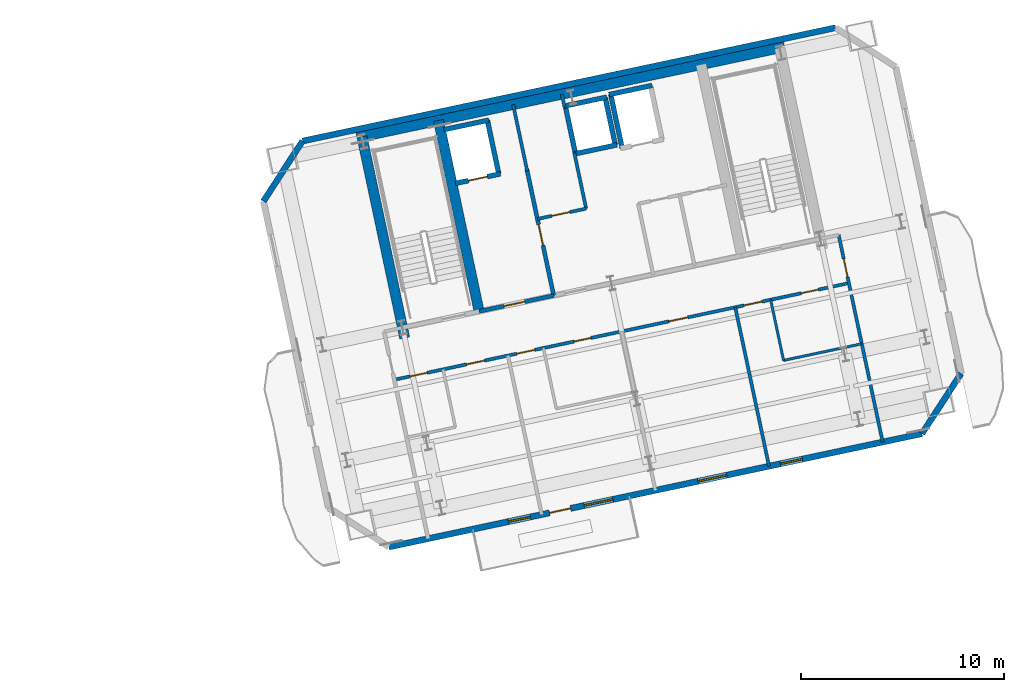
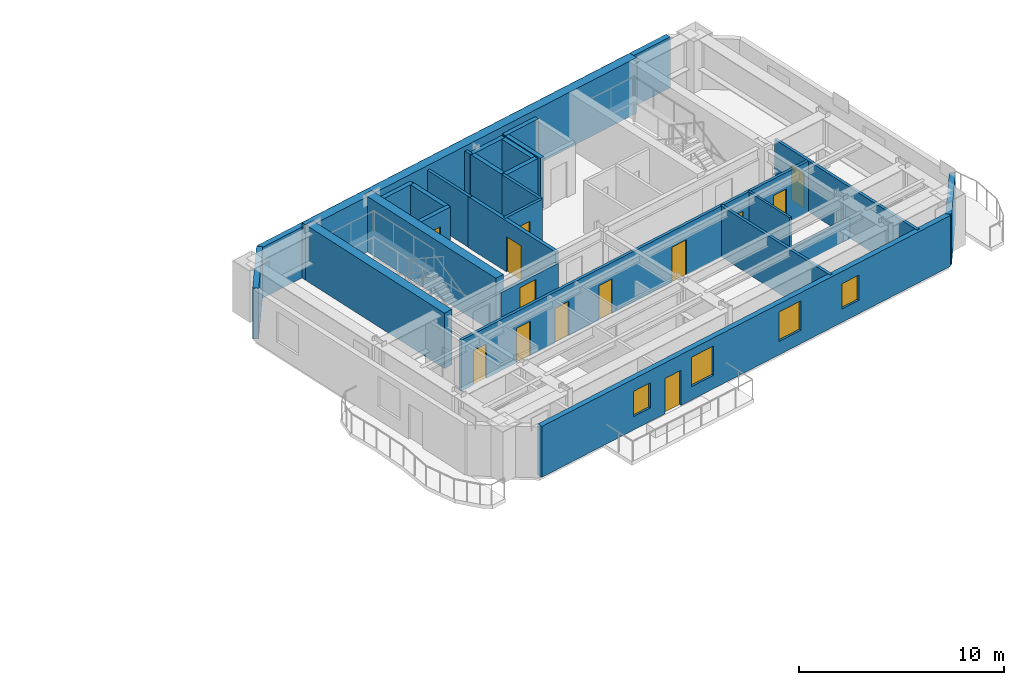
# One storey, part 10 of 16: 27 walls, 13 doors, 4 windows, 17 openings.
"""IFC4 building model written with IfcOpenShell, lengths in metres."""

import ifcopenshell
import ifcopenshell.guid

model = None  # the IFC model being written
_history = None  # IfcOwnerHistory: only IFC2X3 demands one
_inside = {}  # id of a spatial element -> (the spatial element, [elements in it])
_under = {}  # id of a project, library or spatial element -> (it, [spatial elements below it])
_declared = {}  # id of a project -> (the project, [libraries it declares])
_typed = {}  # id of a type object -> (the type object, [elements of that type])
_made_of = {}  # id of a material, layer set ... -> (it, [elements and type objects made of it])


def new_model(schema):
    """Start an empty IFC model of exactly this schema.

    Asked for "IFC4X3", IfcOpenShell would pick the latest addendum, in which some entities
    have other attributes; the version numbers below select the first issue.
    IFC2X3 requires an IfcOwnerHistory on every rooted entity: one is made here for all.
    """
    global model, _history
    if schema == "IFC4X3":
        model = ifcopenshell.file(schema_version=(4, 3, 0, 0))
    else:
        model = ifcopenshell.file(schema=schema)
    _inside.clear()
    _under.clear()
    _declared.clear()
    _typed.clear()
    _made_of.clear()
    _history = None
    if model.schema == "IFC2X3":
        org = make("IfcOrganization", Name="unknown")
        user = make(
            "IfcPersonAndOrganization",
            ThePerson=make("IfcPerson", FamilyName="unknown"),
            TheOrganization=org,
        )
        app = make(
            "IfcApplication",
            ApplicationDeveloper=org,
            Version="unknown",
            ApplicationFullName="unknown",
            ApplicationIdentifier="unknown",
        )
        _history = make(
            "IfcOwnerHistory",
            OwningUser=user,
            OwningApplication=app,
            ChangeAction="ADDED",
            CreationDate=0,
        )
    return model


def make(cls, **values):
    """One entity of the class cls with the attributes given. An attribute that is None is left unset."""
    return model.create_entity(
        cls, **{name: value for name, value in values.items() if value is not None}
    )


def rooted(cls, **values):
    """An entity with a GlobalId (a new one), such as an element, a storey or a relation."""
    return make(cls, GlobalId=ifcopenshell.guid.new(), OwnerHistory=_history, **values)


def si_unit(unit_type, name, prefix=None):
    """IfcSIUnit, for example si_unit("LENGTHUNIT", "METRE", prefix="MILLI")."""
    return make("IfcSIUnit", UnitType=unit_type, Prefix=prefix, Name=name)


def assignment(units):
    """IfcUnitAssignment: the units of a project."""
    return None if units is None else make("IfcUnitAssignment", Units=units)


def point(xyz):
    """IfcCartesianPoint."""
    return None if xyz is None else make("IfcCartesianPoint", Coordinates=xyz)


def direction(xyz):
    """IfcDirection."""
    return None if xyz is None else make("IfcDirection", DirectionRatios=xyz)


def frame(location, z_axis=None, x_axis=None):
    """IfcAxis2Placement3D, a coordinate frame: its origin and axes. An axis left out is left unset."""
    return make(
        "IfcAxis2Placement3D",
        Location=point(location),
        Axis=direction(z_axis),
        RefDirection=direction(x_axis),
    )


def frame_2d(location, x_axis=None):
    """IfcAxis2Placement2D, a coordinate frame in the plane: its origin and x axis."""
    return make(
        "IfcAxis2Placement2D", Location=point(location), RefDirection=direction(x_axis)
    )


def origin():
    """The frame at (0, 0, 0) with its axes left unset."""
    return frame((0.0, 0.0, 0.0))


def place(relative_to, where):
    """IfcLocalPlacement: puts the frame where relative to a parent placement (None: the world)."""
    return make(
        "IfcLocalPlacement", PlacementRelTo=relative_to, RelativePlacement=where
    )


def context(
    kind, dimensions, precision=None, world=None, true_north=None, identifier=None
):
    """IfcGeometricRepresentationContext, for example the 3D "Model" context."""
    return make(
        "IfcGeometricRepresentationContext",
        ContextIdentifier=identifier,
        ContextType=kind,
        CoordinateSpaceDimension=dimensions,
        Precision=precision,
        WorldCoordinateSystem=world,
        TrueNorth=true_north,
    )


def subcontext(parent, identifier, kind, view, scale=None):
    """IfcGeometricRepresentationSubContext, for example "Body" below "Model"."""
    return make(
        "IfcGeometricRepresentationSubContext",
        ContextIdentifier=identifier,
        ContextType=kind,
        ParentContext=parent,
        TargetScale=scale,
        TargetView=view,
    )


def project(units=None, contexts=None):
    """IfcProject with its units and contexts."""
    return rooted(
        "IfcProject",
        Name="project",
        RepresentationContexts=contexts,
        UnitsInContext=assignment(units),
    )


def spatial(cls, under=None, at=None, **own):
    """A site, building, storey or space (cls), placed at a placement, below another one or the project."""
    s = rooted(cls, ObjectPlacement=at, **own)
    if under is not None:
        _under.setdefault(under.id(), (under, []))[1].append(s)
    return s


def profile(cls, at=None, kind="AREA", **sizes):
    """A parametric profile (cls). Its sizes go by their IFC names, for example OverallWidth=200.0."""
    return make(cls, ProfileType=kind, Position=at, **sizes)


def rectangle(**sizes):
    """IfcRectangleProfileDef."""
    return profile("IfcRectangleProfileDef", **sizes)


def extrude(swept, where, along, depth):
    """IfcExtrudedAreaSolid: the profile swept, set in the frame where, extruded along a direction by depth."""
    return make(
        "IfcExtrudedAreaSolid",
        SweptArea=swept,
        Position=where,
        ExtrudedDirection=direction(along),
        Depth=depth,
    )


def shape(context_of_items, identifier, shape_type, items):
    """IfcShapeRepresentation: the items that make up one representation, for example the "Body"."""
    return make(
        "IfcShapeRepresentation",
        ContextOfItems=context_of_items,
        RepresentationIdentifier=identifier,
        RepresentationType=shape_type,
        Items=items,
    )


def material(Name=None, Category=None):
    """IfcMaterial."""
    return make("IfcMaterial", Name=Name, Category=Category)


def layer(
    of_material, thickness, ventilated=None, Name=None, Category=None, Priority=None
):
    """IfcMaterialLayer: one layer of a wall or slab, of a material (None: an air gap)."""
    return make(
        "IfcMaterialLayer",
        Material=of_material,
        LayerThickness=thickness,
        IsVentilated=ventilated,
        Name=Name,
        Category=Category,
        Priority=Priority,
    )


def layer_set(layers, Name=None):
    """IfcMaterialLayerSet."""
    return make("IfcMaterialLayerSet", MaterialLayers=layers, LayerSetName=Name)


def made_of(thing, what):
    """Note that an element or type object is made of a material, layer set ...; save() writes the relation."""
    if what is not None:
        _made_of.setdefault(what.id(), (what, []))[1].append(thing)
    return thing


def type_object(cls, material=None, **own):
    """A type object (cls), such as IfcWallType, which elements share."""
    return made_of(rooted(cls, **own), material)


def element(
    cls,
    number,
    at=None,
    inside=None,
    cuts=None,
    type_object=None,
    material=None,
    context=None,
    identifier="Body",
    shape_type=None,
    held_by="IfcProductDefinitionShape",
    body=None,
    shapes=None,
    **own,
):
    """One element of the class cls, such as IfcWall. Its Tag is "e" and its number.

    at: its placement. inside: the storey or other place that contains it. cuts: it is an
    opening in that element (IfcRelVoidsElement). A single representation is given by context,
    identifier, shape_type and body (its items); several are given by shapes. held_by: the class
    of the entity that holds the representations. save() writes the other relations.
    """
    e = rooted(cls, Tag="e%d" % number, ObjectPlacement=at, **own)
    if body is not None:
        shapes = [shape(context, identifier, shape_type, body)]
    if shapes is not None:
        e.Representation = make(held_by, Representations=shapes)
    if inside is not None:
        _inside.setdefault(inside.id(), (inside, []))[1].append(e)
    if cuts is not None:
        rooted(
            "IfcRelVoidsElement", RelatingBuildingElement=cuts, RelatedOpeningElement=e
        )
    if type_object is not None:
        _typed.setdefault(type_object.id(), (type_object, []))[1].append(e)
    return made_of(e, material)


def fill(opening, filler):
    """IfcRelFillsElement: the door or window that sits in an opening."""
    return rooted(
        "IfcRelFillsElement",
        RelatingOpeningElement=opening,
        RelatedBuildingElement=filler,
    )


def aggregate(whole, parts):
    """IfcRelAggregates: a whole, such as a stair, and the parts it consists of."""
    return rooted("IfcRelAggregates", RelatingObject=whole, RelatedObjects=parts)


def save(model, path):
    """Write the relations noted so far, then the file.

    IfcRelAggregates (storeys below a building ...), IfcRelContainedInSpatialStructure (elements
    in a storey), IfcRelDefinesByType, IfcRelAssociatesMaterial and IfcRelDeclares: one each for
    every whole, place, type object, material and project.
    """
    for whole, parts in _under.values():
        aggregate(whole, parts)
    for where, things in _inside.values():
        rooted(
            "IfcRelContainedInSpatialStructure",
            RelatedElements=things,
            RelatingStructure=where,
        )
    for kind, things in _typed.values():
        rooted("IfcRelDefinesByType", RelatedObjects=things, RelatingType=kind)
    for what, things in _made_of.values():
        rooted("IfcRelAssociatesMaterial", RelatedObjects=things, RelatingMaterial=what)
    for by, libraries in _declared.values():
        rooted("IfcRelDeclares", RelatingContext=by, RelatedDefinitions=libraries)
    model.write(path)


model = new_model("IFC4")

# Units and contexts
model_context = context("Model", 3, precision=1e-05, world=origin(), true_north=direction((0.0, 1.0)))
body_context = subcontext(model_context, "Body", "Model", "MODEL_VIEW")
ifc_project = project(units=[si_unit("LENGTHUNIT", "METRE"), si_unit("AREAUNIT", "SQUARE_METRE"), si_unit("VOLUMEUNIT", "CUBIC_METRE"), si_unit("PLANEANGLEUNIT", "RADIAN"), si_unit("MASSUNIT", "GRAM", prefix="KILO")], contexts=[model_context])

# Site, building, storey
site_placement = place(None, origin())
site = spatial("IfcSite", under=ifc_project, at=site_placement, CompositionType="ELEMENT")
building_placement = place(site_placement, origin())
building = spatial("IfcBuilding", under=site, at=building_placement, Name="Haevon Station Towers", CompositionType="ELEMENT")
storey_placement = place(building_placement, frame((0.0, 0.0, 172.5)))
storey = spatial("IfcBuildingStorey", under=building, at=storey_placement, Name="L47", CompositionType="ELEMENT", Elevation=172.5)

# Wall, opening, door
ifc_material_1 = material(Name="Gypsum board on steel stud", Category="steel")
ifc_layer_1 = layer(ifc_material_1, 0.199951171875)
ifc_layer_set_1 = layer_set([ifc_layer_1], Name="Gypsum board on steel stud")
wall_type_1 = type_object("IfcWallType", Name="WL-COR200", PredefinedType="PARTITIONING", material=ifc_layer_set_1)
wall_1_placement = place(storey_placement, frame((106.186279296875, 39.0224609375, 0.0), z_axis=(0.0, 0.0, 1.0), x_axis=(-0.207916691923, 0.978146537703, 0.0)))
wall_1 = element("IfcWall", 1, at=wall_1_placement, inside=storey, type_object=wall_type_1, Name="WL-T2FFL-L47-E", PredefinedType="PARTITIONING", context=body_context, shape_type="SweptSolid", body=[
    extrude(rectangle(XDim=6.35009765625, YDim=0.199951171875, at=frame_2d((3.175048828125, 0.0))), origin(), (0.0, 0.0, 1.0), 3.030029296875),
])
opening_1_placement = place(wall_1_placement, frame((2.52001953125, 0.0, 0.0)))
opening_1 = element("IfcOpeningElement", 2, at=opening_1_placement, cuts=wall_1, Name="Opening DR-T2FFL-L47-E", PredefinedType="OPENING", context=body_context, shape_type="SweptSolid", body=[
    extrude(rectangle(XDim=1.050048828125, YDim=2.10009765625, at=frame_2d((0.52490234375, 1.050048828125))), frame((0.0, 0.10986328125, 0.0), z_axis=(0.0, -1.0, 0.0), x_axis=(1.0, 0.0, 0.0)), (0.0, 0.0, 1.0), 0.219970703125),
])
ifc_material_2 = material(Name="Engineered oak timber", Category="wood")
door_type_1 = type_object("IfcDoorType", Name="DR-FD60-1050", OperationType="NOTDEFINED", PredefinedType="DOOR", material=ifc_material_2)
door_1_placement = place(opening_1_placement, origin())
door_1 = element("IfcDoor", 3, at=door_1_placement, inside=storey, type_object=door_type_1, Name="L47 Tower 2 Firefighting Lift Lobby Door E", OperationType="SINGLE_SWING_RIGHT", OverallHeight=2.10009765625, OverallWidth=1.050048828125, PredefinedType="DOOR", context=body_context, shape_type="SweptSolid", body=[
    extrude(rectangle(XDim=1.050048828125, YDim=2.10009765625, at=frame_2d((0.52490234375, 1.050048828125))), frame((0.0, 0.02490234375, 0.0), z_axis=(0.0, -1.0, 0.0), x_axis=(1.0, 0.0, 0.0)), (0.0, 0.0, 1.0), 0.050048828125),
])
fill(opening_1, door_1)

wall_2_placement = place(storey_placement, frame((102.518310546875, 38.242919921875, 0.0), z_axis=(0.0, 0.0, 1.0), x_axis=(0.978153555683, 0.20788367301, 0.0)))
wall_2 = element("IfcWall", 4, at=wall_2_placement, inside=storey, type_object=wall_type_1, Name="WL-T2FFL-L47-S", PredefinedType="PARTITIONING", context=body_context, shape_type="SweptSolid", body=[
    extrude(rectangle(XDim=3.75, YDim=0.199951171875, at=frame_2d((1.875, 0.0))), origin(), (0.0, 0.0, 1.0), 2.3798828125),
])
opening_2_placement = place(wall_2_placement, frame((1.25, 0.0, 0.0)))
opening_2 = element("IfcOpeningElement", 5, at=opening_2_placement, cuts=wall_2, Name="Opening DR-T2FFL-L47-S", PredefinedType="OPENING", context=body_context, shape_type="SweptSolid", body=[
    extrude(rectangle(XDim=1.050048828125, YDim=2.10009765625, at=frame_2d((0.52490234375, 1.050048828125))), frame((0.0, 0.10986328125, 0.0), z_axis=(0.0, -1.0, 0.0), x_axis=(1.0, 0.0, 0.0)), (0.0, 0.0, 1.0), 0.219970703125),
])
door_2_placement = place(opening_2_placement, origin())
door_2 = element("IfcDoor", 6, at=door_2_placement, inside=storey, type_object=door_type_1, Name="L47 Tower 2 Firefighting Lift Lobby Door S", OperationType="SINGLE_SWING_LEFT", OverallHeight=2.10009765625, OverallWidth=1.050048828125, PredefinedType="DOOR", context=body_context, shape_type="SweptSolid", body=[
    extrude(rectangle(XDim=1.050048828125, YDim=2.10009765625, at=frame_2d((0.52490234375, 1.050048828125))), frame((0.0, 0.02490234375, 0.0), z_axis=(0.0, -1.0, 0.0), x_axis=(1.0, 0.0, 0.0)), (0.0, 0.0, 1.0), 0.050048828125),
])
fill(opening_2, door_2)

# Walls
ifc_material_3 = material(Name="Concrete C60/75", Category="concrete")
ifc_layer_2 = layer(ifc_material_3, 0.5)
ifc_layer_set_2 = layer_set([ifc_layer_2], Name="Concrete C60/75")
wall_type_2 = type_object("IfcWallType", Name="WL-CR500", PredefinedType="SHEAR", material=ifc_layer_set_2)
wall_3_placement = place(storey_placement, frame((96.511962890625, 46.78076171875, 0.0), z_axis=(0.0, 0.0, 1.0), x_axis=(0.978148546782, 0.207907239961, 0.0)))
element("IfcWall", 7, at=wall_3_placement, inside=storey, type_object=wall_type_2, Name="WL-T2CR-L47-N", PredefinedType="SHEAR", context=body_context, shape_type="SweptSolid", body=[
    extrude(rectangle(XDim=21.499755859375, YDim=0.5, at=frame_2d((10.75, 0.0))), origin(), (0.0, 0.0, 1.0), 3.300048828125),
])
wall_4_placement = place(storey_placement, frame((98.8603515625, 36.933837890625, 0.0), z_axis=(0.0, 0.0, 1.0), x_axis=(-0.20790924889, 0.978148119778, 0.0)))
element("IfcWall", 8, at=wall_4_placement, inside=storey, type_object=wall_type_2, Name="WL-T2CR-L47-W", PredefinedType="SHEAR", context=body_context, shape_type="SweptSolid", body=[
    extrude(rectangle(XDim=10.119873046875, YDim=0.5, at=frame_2d((5.06005859375, 0.0))), origin(), (0.0, 0.0, 1.0), 3.300048828125),
])
wall_5_placement = place(storey_placement, frame((102.518310546875, 38.242919921875, 0.0), z_axis=(0.0, 0.0, 1.0), x_axis=(-0.207927495108, 0.978144241295, 0.0)))
element("IfcWall", 9, at=wall_5_placement, inside=storey, type_object=wall_type_2, Name="WL-T2CR-L47-M1", PredefinedType="SHEAR", context=body_context, shape_type="SweptSolid", body=[
    extrude(rectangle(XDim=9.599853515625, YDim=0.5, at=frame_2d((4.7998046875, 0.0))), origin(), (0.0, 0.0, 1.0), 3.300048828125),
])

# Wall, openings, door, windows
ifc_material_4 = material(Name="Precast concrete C45/55", Category="concrete")
ifc_layer_3 = layer(ifc_material_4, 0.300048828125)
ifc_layer_set_3 = layer_set([ifc_layer_3], Name="Precast concrete C45/55")
wall_type_3 = type_object("IfcWallType", Name="WL-EXT-PIER300", PredefinedType="SOLIDWALL", material=ifc_layer_set_3)
wall_6_placement = place(storey_placement, frame((124.29443359375, 32.22900390625, 0.0), z_axis=(0.0, 0.0, 1.0), x_axis=(-0.978147690128, -0.20791127025, 0.0)))
wall_6 = element("IfcWall", 10, at=wall_6_placement, inside=storey, type_object=wall_type_3, Name="WL-T2-L47-S", PredefinedType="SOLIDWALL", context=body_context, shape_type="SweptSolid", body=[
    extrude(rectangle(XDim=26.800048828125, YDim=0.300048828125, at=frame_2d((13.39990234375, 0.0))), origin(), (0.0, 0.0, 1.0), 3.030029296875),
])
opening_3_placement = place(wall_6_placement, frame((17.66796875, 0.0, 0.0)))
opening_3 = element("IfcOpeningElement", 11, at=opening_3_placement, cuts=wall_6, Name="Opening DR-T2-PBAND-L47-1", PredefinedType="OPENING", context=body_context, shape_type="SweptSolid", body=[
    extrude(rectangle(XDim=1.050048828125, YDim=2.10009765625, at=frame_2d((0.52490234375, 1.050048828125))), frame((0.0, 0.159912109375, 0.0), z_axis=(0.0, -1.0, 0.0), x_axis=(1.0, 0.0, 0.0)), (0.0, 0.0, 1.0), 0.320068359375),
])
opening_4_placement = place(wall_6_placement, frame((19.68505859375, 0.0, 0.800048828125)))
opening_4 = element("IfcOpeningElement", 12, at=opening_4_placement, cuts=wall_6, Name="Opening WN-COR110", PredefinedType="OPENING", context=body_context, shape_type="SweptSolid", body=[
    extrude(rectangle(XDim=1.10009765625, YDim=1.5, at=frame_2d((0.550048828125, 0.75))), frame((0.0, 0.159912109375, 0.0), z_axis=(0.0, -1.0, 0.0), x_axis=(1.0, 0.0, 0.0)), (0.0, 0.0, 1.0), 0.320068359375),
])
opening_5_placement = place(wall_6_placement, frame((15.53125, 0.0, 0.800048828125)))
opening_5 = element("IfcOpeningElement", 13, at=opening_5_placement, cuts=wall_6, Name="Opening WN-P145", PredefinedType="OPENING", context=body_context, shape_type="SweptSolid", body=[
    extrude(rectangle(XDim=1.449951171875, YDim=1.75, at=frame_2d((0.72509765625, 0.875))), frame((0.0, 0.159912109375, 0.0), z_axis=(0.0, -1.0, 0.0), x_axis=(1.0, 0.0, 0.0)), (0.0, 0.0, 1.0), 0.320068359375),
])
opening_6_placement = place(wall_6_placement, frame((9.818603515625, 0.0, 0.800048828125)))
opening_6 = element("IfcOpeningElement", 14, at=opening_6_placement, cuts=wall_6, Name="Opening WN-P145", PredefinedType="OPENING", context=body_context, shape_type="SweptSolid", body=[
    extrude(rectangle(XDim=1.449951171875, YDim=1.75, at=frame_2d((0.72509765625, 0.875))), frame((0.0, 0.159912109375, 0.0), z_axis=(0.0, -1.0, 0.0), x_axis=(1.0, 0.0, 0.0)), (0.0, 0.0, 1.0), 0.320068359375),
])
opening_7_placement = place(wall_6_placement, frame((6.014892578125, 0.0, 0.800048828125)))
opening_7 = element("IfcOpeningElement", 15, at=opening_7_placement, cuts=wall_6, Name="Opening WN-COR110", PredefinedType="OPENING", context=body_context, shape_type="SweptSolid", body=[
    extrude(rectangle(XDim=1.10009765625, YDim=1.5, at=frame_2d((0.550048828125, 0.75))), frame((0.0, 0.159912109375, 0.0), z_axis=(0.0, -1.0, 0.0), x_axis=(1.0, 0.0, 0.0)), (0.0, 0.0, 1.0), 0.320068359375),
])
ifc_material_5 = material(Name="Thermally broken anodised aluminium and laminated safety glass", Category="aluminium")
door_type_2 = type_object("IfcDoorType", Name="DR-BALC-1050", OperationType="NOTDEFINED", PredefinedType="DOOR", material=ifc_material_5)
door_3_placement = place(opening_3_placement, origin())
door_3 = element("IfcDoor", 16, at=door_3_placement, inside=storey, type_object=door_type_2, Name="Tower 2 L47 Balcony Terrace Door", OperationType="SINGLE_SWING_LEFT", OverallHeight=2.10009765625, OverallWidth=1.050048828125, PredefinedType="DOOR", context=body_context, shape_type="SweptSolid", body=[
    extrude(rectangle(XDim=1.050048828125, YDim=2.10009765625, at=frame_2d((0.52490234375, 1.050048828125))), frame((0.0, 0.02490234375, 0.0), z_axis=(0.0, -1.0, 0.0), x_axis=(1.0, 0.0, 0.0)), (0.0, 0.0, 1.0), 0.050048828125),
])
fill(opening_3, door_3)
ifc_material_6 = material(Name="Low-E triple glazing in thermally broken aluminium", Category="aluminium")
window_type_1 = type_object("IfcWindowType", Name="WN-COR110", PartitioningType="SINGLE_PANEL", PredefinedType="WINDOW", material=ifc_material_6)
window_1_placement = place(opening_4_placement, origin())
window_1 = element("IfcWindow", 17, at=window_1_placement, inside=storey, type_object=window_type_1, Name="WN-T2-L47-S01", OverallHeight=1.5, OverallWidth=1.10009765625, PartitioningType="SINGLE_PANEL", PredefinedType="WINDOW", context=body_context, shape_type="SweptSolid", body=[
    extrude(rectangle(XDim=1.10009765625, YDim=1.5, at=frame_2d((0.550048828125, 0.75))), frame((0.0, 0.030029296875, 0.0), z_axis=(0.0, -1.0, 0.0), x_axis=(1.0, 0.0, 0.0)), (0.0, 0.0, 1.0), 0.06005859375),
])
fill(opening_4, window_1)
window_2_placement = place(opening_7_placement, origin())
window_2 = element("IfcWindow", 18, at=window_2_placement, inside=storey, type_object=window_type_1, Name="WN-T2-L47-S04", OverallHeight=1.5, OverallWidth=1.10009765625, PartitioningType="SINGLE_PANEL", PredefinedType="WINDOW", context=body_context, shape_type="SweptSolid", body=[
    extrude(rectangle(XDim=1.10009765625, YDim=1.5, at=frame_2d((0.550048828125, 0.75))), frame((0.0, 0.030029296875, 0.0), z_axis=(0.0, -1.0, 0.0), x_axis=(1.0, 0.0, 0.0)), (0.0, 0.0, 1.0), 0.06005859375),
])
fill(opening_7, window_2)
window_type_2 = type_object("IfcWindowType", Name="WN-P145", PartitioningType="SINGLE_PANEL", PredefinedType="WINDOW", material=ifc_material_6)
window_3_placement = place(opening_5_placement, origin())
window_3 = element("IfcWindow", 19, at=window_3_placement, inside=storey, type_object=window_type_2, Name="WN-T2-L47-S02", OverallHeight=1.75, OverallWidth=1.449951171875, PartitioningType="SINGLE_PANEL", PredefinedType="WINDOW", context=body_context, shape_type="SweptSolid", body=[
    extrude(rectangle(XDim=1.449951171875, YDim=1.75, at=frame_2d((0.72509765625, 0.875))), frame((0.0, 0.030029296875, 0.0), z_axis=(0.0, -1.0, 0.0), x_axis=(1.0, 0.0, 0.0)), (0.0, 0.0, 1.0), 0.06005859375),
])
fill(opening_5, window_3)
window_4_placement = place(opening_6_placement, origin())
window_4 = element("IfcWindow", 20, at=window_4_placement, inside=storey, type_object=window_type_2, Name="WN-T2-L47-S03", OverallHeight=1.75, OverallWidth=1.449951171875, PartitioningType="SINGLE_PANEL", PredefinedType="WINDOW", context=body_context, shape_type="SweptSolid", body=[
    extrude(rectangle(XDim=1.449951171875, YDim=1.75, at=frame_2d((0.72509765625, 0.875))), frame((0.0, 0.030029296875, 0.0), z_axis=(0.0, -1.0, 0.0), x_axis=(1.0, 0.0, 0.0)), (0.0, 0.0, 1.0), 0.06005859375),
])
fill(opening_6, window_4)

# Walls
wall_7_placement = place(storey_placement, frame((91.9111328125, 43.65576171875, 0.0), z_axis=(0.0, 0.0, 1.0), x_axis=(0.544636352948, 0.838672309694, 0.0)))
element("IfcWall", 21, at=wall_7_placement, inside=storey, type_object=wall_type_3, Name="WL-T2-L47-NWC", PredefinedType="SOLIDWALL", context=body_context, shape_type="SweptSolid", body=[
    extrude(rectangle(XDim=3.535400390625, YDim=0.300048828125, at=frame_2d((1.767578125, 0.0))), origin(), (0.0, 0.0, 1.0), 3.030029296875),
])
wall_8_placement = place(storey_placement, frame((93.836669921875, 46.620849609375, 0.0), z_axis=(0.0, 0.0, 1.0), x_axis=(0.978147690128, 0.20791127025, 0.0)))
element("IfcWall", 22, at=wall_8_placement, inside=storey, type_object=wall_type_3, Name="WL-T2-L47-N", PredefinedType="SOLIDWALL", context=body_context, shape_type="SweptSolid", body=[
    extrude(rectangle(XDim=26.800048828125, YDim=0.300048828125, at=frame_2d((13.39990234375, 0.0))), origin(), (0.0, 0.0, 1.0), 3.030029296875),
])
wall_9_placement = place(storey_placement, frame((126.219970703125, 35.194091796875, 0.0), z_axis=(0.0, 0.0, 1.0), x_axis=(-0.544636352948, -0.838672309694, 0.0)))
element("IfcWall", 23, at=wall_9_placement, inside=storey, type_object=wall_type_3, Name="WL-T2-L47-SEC", PredefinedType="SOLIDWALL", context=body_context, shape_type="SweptSolid", body=[
    extrude(rectangle(XDim=3.535400390625, YDim=0.300048828125, at=frame_2d((1.767578125, 0.0))), origin(), (0.0, 0.0, 1.0), 3.030029296875),
])
ifc_layer_4 = layer(ifc_material_1, 0.125)
ifc_layer_set_4 = layer_set([ifc_layer_4], Name="Gypsum board on steel stud")
wall_type_4 = type_object("IfcWallType", Name="WL-PRT125", PredefinedType="PARTITIONING", material=ifc_layer_set_4)
wall_10_placement = place(storey_placement, frame((117.489013671875, 35.832763671875, 0.0), z_axis=(0.0, 0.0, 1.0), x_axis=(0.978145436939, 0.20792187041, 0.0)))
element("IfcWall", 24, at=wall_10_placement, inside=storey, type_object=wall_type_4, Name="WL-T2PT-L47-12", PredefinedType="PARTITIONING", context=body_context, shape_type="SweptSolid", body=[
    extrude(rectangle(XDim=3.932373046875, YDim=0.125, at=frame_2d((1.96630859375, 0.0))), origin(), (0.0, 0.0, 1.0), 1.22998046875),
])
wall_11_placement = place(storey_placement, frame((117.489013671875, 35.832763671875, 0.0), z_axis=(0.0, 0.0, 1.0), x_axis=(-0.207954487003, 0.978138503145, 0.0)))
element("IfcWall", 25, at=wall_11_placement, inside=storey, type_object=wall_type_4, Name="WL-T2PT-L47-13", PredefinedType="PARTITIONING", context=body_context, shape_type="SweptSolid", body=[
    extrude(rectangle(XDim=3.050048828125, YDim=0.125, at=frame_2d((1.52490234375, 0.0))), origin(), (0.0, 0.0, 1.0), 3.030029296875),
])
ifc_layer_5 = layer(ifc_material_1, 0.159912109375)
ifc_layer_set_5 = layer_set([ifc_layer_5], Name="Gypsum board on steel stud")
wall_type_5 = type_object("IfcWallType", Name="WL-PRT160", PredefinedType="PARTITIONING", material=ifc_layer_set_5)
wall_12_placement = place(storey_placement, frame((104.88671875, 45.135986328125, 0.0), z_axis=(0.0, 0.0, 1.0), x_axis=(-0.207846553267, 0.978161443881, 0.0)))
element("IfcWall", 26, at=wall_12_placement, inside=storey, type_object=wall_type_5, Name="WL-T2CW-L47-01", PredefinedType="PARTITIONING", context=body_context, shape_type="SweptSolid", body=[
    extrude(rectangle(XDim=3.35009765625, YDim=0.159912109375, at=frame_2d((1.675048828125, 0.0))), origin(), (0.0, 0.0, 1.0), 3.030029296875),
])

# Wall, opening, door
wall_13_placement = place(storey_placement, frame((105.3857421875, 42.788330078125, 0.0), z_axis=(0.0, 0.0, 1.0), x_axis=(0.978136559131, 0.207963630695, 0.0)))
wall_13 = element("IfcWall", 27, at=wall_13_placement, inside=storey, type_object=wall_type_5, Name="WL-T2CW-L47-02", PredefinedType="PARTITIONING", context=body_context, shape_type="SweptSolid", body=[
    extrude(rectangle(XDim=2.449951171875, YDim=0.159912109375, at=frame_2d((1.22509765625, 0.0))), origin(), (0.0, 0.0, 1.0), 3.030029296875),
])
opening_8_placement = place(wall_13_placement, frame((0.719970703125, 0.0, 0.0)))
opening_8 = element("IfcOpeningElement", 28, at=opening_8_placement, cuts=wall_13, Name="Opening DR-WL-T2CW-L47-02-1", PredefinedType="OPENING", context=body_context, shape_type="SweptSolid", body=[
    extrude(rectangle(XDim=0.89990234375, YDim=2.10009765625, at=frame_2d((0.449951171875, 1.050048828125))), frame((0.0, 0.08984375, 0.0), z_axis=(0.0, -1.0, 0.0), x_axis=(1.0, 0.0, 0.0)), (0.0, 0.0, 1.0), 0.179931640625),
])
door_type_3 = type_object("IfcDoorType", Name="DR-FD60-900", OperationType="NOTDEFINED", PredefinedType="DOOR", material=ifc_material_2)
door_4_placement = place(opening_8_placement, origin())
door_4 = element("IfcDoor", 29, at=door_4_placement, inside=storey, type_object=door_type_3, Name="L47 Tower 2 Core Room Door 2-1", OperationType="SINGLE_SWING_LEFT", OverallHeight=2.10009765625, OverallWidth=0.89990234375, PredefinedType="DOOR", context=body_context, shape_type="SweptSolid", body=[
    extrude(rectangle(XDim=0.89990234375, YDim=2.10009765625, at=frame_2d((0.449951171875, 1.050048828125))), frame((0.0, 0.02490234375, 0.0), z_axis=(0.0, -1.0, 0.0), x_axis=(1.0, 0.0, 0.0)), (0.0, 0.0, 1.0), 0.050048828125),
])
fill(opening_8, door_4)

# Walls
wall_14_placement = place(storey_placement, frame((107.7822265625, 43.2978515625, 0.0), z_axis=(0.0, 0.0, 1.0), x_axis=(-0.207873355681, 0.978155748334, 0.0)))
element("IfcWall", 30, at=wall_14_placement, inside=storey, type_object=wall_type_5, Name="WL-T2CW-L47-03", PredefinedType="PARTITIONING", context=body_context, shape_type="SweptSolid", body=[
    extrude(rectangle(XDim=2.800048828125, YDim=0.159912109375, at=frame_2d((1.39990234375, 0.0))), origin(), (0.0, 0.0, 1.0), 3.030029296875),
])
wall_15_placement = place(storey_placement, frame((106.721923828125, 48.286376953125, 0.0), z_axis=(0.0, 0.0, 1.0), x_axis=(-0.208092352933, 0.978109182377, 0.0)))
element("IfcWall", 31, at=wall_15_placement, inside=storey, type_object=wall_type_5, Name="WL-T2CW-L47-04", PredefinedType="PARTITIONING", context=body_context, shape_type="SweptSolid", body=[
    extrude(rectangle(XDim=0.64990234375, YDim=0.159912109375, at=frame_2d((0.324951171875, 0.0))), origin(), (0.0, 0.0, 1.0), 3.030029296875),
])

# Wall, opening, door
wall_16_placement = place(storey_placement, frame((122.362548828125, 31.818359375, 0.0), z_axis=(0.0, 0.0, 1.0), x_axis=(-0.207904755642, 0.978149074825, 0.0)))
wall_16 = element("IfcWall", 32, at=wall_16_placement, inside=storey, type_object=wall_type_5, Name="WL-T2PT-L47-04", PredefinedType="PARTITIONING", context=body_context, shape_type="SweptSolid", body=[
    extrude(rectangle(XDim=10.41015625, YDim=0.159912109375, at=frame_2d((5.205078125, 0.0))), origin(), (0.0, 0.0, 1.0), 3.030029296875),
])
opening_9_placement = place(wall_16_placement, frame((8.31005859375, 0.0, 0.0)))
opening_9 = element("IfcOpeningElement", 33, at=opening_9_placement, cuts=wall_16, Name="Opening DR-WL-T2PT-L47-04-01", PredefinedType="OPENING", context=body_context, shape_type="SweptSolid", body=[
    extrude(rectangle(XDim=0.89990234375, YDim=2.050048828125, at=frame_2d((0.449951171875, 1.02490234375))), frame((0.0, 0.08984375, 0.0), z_axis=(0.0, -1.0, 0.0), x_axis=(1.0, 0.0, 0.0)), (0.0, 0.0, 1.0), 0.179931640625),
])
door_type_4 = type_object("IfcDoorType", Name="DR-INT-900", OperationType="NOTDEFINED", PredefinedType="DOOR", material=ifc_material_2)
door_5_placement = place(opening_9_placement, origin())
door_5 = element("IfcDoor", 34, at=door_5_placement, inside=storey, type_object=door_type_4, Name="L47 Tower 2 Room Door 4-1", OperationType="SINGLE_SWING_LEFT", OverallHeight=2.050048828125, OverallWidth=0.89990234375, PredefinedType="DOOR", context=body_context, shape_type="SweptSolid", body=[
    extrude(rectangle(XDim=0.89990234375, YDim=2.050048828125, at=frame_2d((0.449951171875, 1.02490234375))), frame((0.0, 0.02490234375, 0.0), z_axis=(0.0, -1.0, 0.0), x_axis=(1.0, 0.0, 0.0)), (0.0, 0.0, 1.0), 0.050048828125),
])
fill(opening_9, door_5)

# Wall
wall_17_placement = place(storey_placement, frame((116.77490234375, 30.630615234375, 0.0), z_axis=(0.0, 0.0, 1.0), x_axis=(-0.207901147181, 0.978149841794, 0.0)))
element("IfcWall", 35, at=wall_17_placement, inside=storey, type_object=wall_type_5, Name="WL-T2PT-L47-11", PredefinedType="PARTITIONING", context=body_context, shape_type="SweptSolid", body=[
    extrude(rectangle(XDim=7.989990234375, YDim=0.159912109375, at=frame_2d((3.9951171875, 0.0))), origin(), (0.0, 0.0, 1.0), 3.030029296875),
])

# Wall, openings, doors
wall_18_placement = place(storey_placement, frame((98.350830078125, 34.883056640625, 0.0), z_axis=(0.0, 0.0, 1.0), x_axis=(0.978147879098, 0.207910381214, 0.0)))
wall_18 = element("IfcWall", 36, at=wall_18_placement, inside=storey, type_object=wall_type_5, Name="WL-T2PT-L47-14", PredefinedType="PARTITIONING", context=body_context, shape_type="SweptSolid", body=[
    extrude(rectangle(XDim=22.849853515625, YDim=0.159912109375, at=frame_2d((11.4248046875, 0.0))), origin(), (0.0, 0.0, 1.0), 3.030029296875),
])
opening_10_placement = place(wall_18_placement, frame((0.800048828125, 0.0, 0.0)))
opening_10 = element("IfcOpeningElement", 37, at=opening_10_placement, cuts=wall_18, Name="Opening DR-WL-T2PT-L47-14-01", PredefinedType="OPENING", context=body_context, shape_type="SweptSolid", body=[
    extrude(rectangle(XDim=0.85009765625, YDim=2.050048828125, at=frame_2d((0.425048828125, 1.02490234375))), frame((0.0, 0.08984375, 0.0), z_axis=(0.0, -1.0, 0.0), x_axis=(1.0, 0.0, 0.0)), (0.0, 0.0, 1.0), 0.179931640625),
])
opening_11_placement = place(wall_18_placement, frame((3.631103515625, 0.0, 0.0)))
opening_11 = element("IfcOpeningElement", 38, at=opening_11_placement, cuts=wall_18, Name="Opening DR-WL-T2PT-L47-14-02", PredefinedType="OPENING", context=body_context, shape_type="SweptSolid", body=[
    extrude(rectangle(XDim=0.89990234375, YDim=2.050048828125, at=frame_2d((0.449951171875, 1.02490234375))), frame((0.0, 0.08984375, 0.0), z_axis=(0.0, -1.0, 0.0), x_axis=(1.0, 0.0, 0.0)), (0.0, 0.0, 1.0), 0.179931640625),
])
opening_12_placement = place(wall_18_placement, frame((9.033935546875, 0.0, 0.0)))
opening_12 = element("IfcOpeningElement", 39, at=opening_12_placement, cuts=wall_18, Name="Opening DR-WL-T2PT-L47-14-03", PredefinedType="OPENING", context=body_context, shape_type="SweptSolid", body=[
    extrude(rectangle(XDim=0.85009765625, YDim=2.050048828125, at=frame_2d((0.425048828125, 1.02490234375))), frame((0.0, 0.08984375, 0.0), z_axis=(0.0, -1.0, 0.0), x_axis=(1.0, 0.0, 0.0)), (0.0, 0.0, 1.0), 0.179931640625),
])
opening_13_placement = place(wall_18_placement, frame((6.153076171875, 0.0, 0.0)))
opening_13 = element("IfcOpeningElement", 40, at=opening_13_placement, cuts=wall_18, Name="Opening DR-WL-T2PT-L47-14-04", PredefinedType="OPENING", context=body_context, shape_type="SweptSolid", body=[
    extrude(rectangle(XDim=0.89990234375, YDim=2.050048828125, at=frame_2d((0.449951171875, 1.02490234375))), frame((0.0, 0.08984375, 0.0), z_axis=(0.0, -1.0, 0.0), x_axis=(1.0, 0.0, 0.0)), (0.0, 0.0, 1.0), 0.179931640625),
])
opening_14_placement = place(wall_18_placement, frame((13.805908203125, 0.0, 0.0)))
opening_14 = element("IfcOpeningElement", 41, at=opening_14_placement, cuts=wall_18, Name="Opening DR-WL-T2PT-L47-14-05", PredefinedType="OPENING", context=body_context, shape_type="SweptSolid", body=[
    extrude(rectangle(XDim=0.949951171875, YDim=2.10009765625, at=frame_2d((0.47509765625, 1.050048828125))), frame((0.0, 0.08984375, 0.0), z_axis=(0.0, -1.0, 0.0), x_axis=(1.0, 0.0, 0.0)), (0.0, 0.0, 1.0), 0.179931640625),
])
opening_15_placement = place(wall_18_placement, frame((20.458984375, 0.0, 0.0)))
opening_15 = element("IfcOpeningElement", 42, at=opening_15_placement, cuts=wall_18, Name="Opening DR-WL-T2PT-L47-14-06", PredefinedType="OPENING", context=body_context, shape_type="SweptSolid", body=[
    extrude(rectangle(XDim=0.85009765625, YDim=2.050048828125, at=frame_2d((0.425048828125, 1.02490234375))), frame((0.0, 0.08984375, 0.0), z_axis=(0.0, -1.0, 0.0), x_axis=(1.0, 0.0, 0.0)), (0.0, 0.0, 1.0), 0.179931640625),
])
opening_16_placement = place(wall_18_placement, frame((17.577880859375, 0.0, 0.0)))
opening_16 = element("IfcOpeningElement", 43, at=opening_16_placement, cuts=wall_18, Name="Opening DR-WL-T2PT-L47-14-07", PredefinedType="OPENING", context=body_context, shape_type="SweptSolid", body=[
    extrude(rectangle(XDim=0.89990234375, YDim=2.050048828125, at=frame_2d((0.449951171875, 1.02490234375))), frame((0.0, 0.08984375, 0.0), z_axis=(0.0, -1.0, 0.0), x_axis=(1.0, 0.0, 0.0)), (0.0, 0.0, 1.0), 0.179931640625),
])
door_type_5 = type_object("IfcDoorType", Name="DR-FD30-850", OperationType="NOTDEFINED", PredefinedType="DOOR", material=ifc_material_2)
door_6_placement = place(opening_10_placement, origin())
door_6 = element("IfcDoor", 44, at=door_6_placement, inside=storey, type_object=door_type_5, Name="L47 Tower 2 Room Door 14-1", OperationType="SINGLE_SWING_RIGHT", OverallHeight=2.050048828125, OverallWidth=0.85009765625, PredefinedType="DOOR", context=body_context, shape_type="SweptSolid", body=[
    extrude(rectangle(XDim=0.85009765625, YDim=2.050048828125, at=frame_2d((0.425048828125, 1.02490234375))), frame((0.0, 0.02490234375, 0.0), z_axis=(0.0, -1.0, 0.0), x_axis=(1.0, 0.0, 0.0)), (0.0, 0.0, 1.0), 0.050048828125),
])
fill(opening_10, door_6)
door_7_placement = place(opening_12_placement, origin())
door_7 = element("IfcDoor", 45, at=door_7_placement, inside=storey, type_object=door_type_5, Name="L47 Tower 2 Room Door 14-3", OperationType="SINGLE_SWING_RIGHT", OverallHeight=2.050048828125, OverallWidth=0.85009765625, PredefinedType="DOOR", context=body_context, shape_type="SweptSolid", body=[
    extrude(rectangle(XDim=0.85009765625, YDim=2.050048828125, at=frame_2d((0.425048828125, 1.02490234375))), frame((0.0, 0.02490234375, 0.0), z_axis=(0.0, -1.0, 0.0), x_axis=(1.0, 0.0, 0.0)), (0.0, 0.0, 1.0), 0.050048828125),
])
fill(opening_12, door_7)
door_8_placement = place(opening_15_placement, origin())
door_8 = element("IfcDoor", 46, at=door_8_placement, inside=storey, type_object=door_type_5, Name="L47 Tower 2 Room Door 14-6", OperationType="SINGLE_SWING_LEFT", OverallHeight=2.050048828125, OverallWidth=0.85009765625, PredefinedType="DOOR", context=body_context, shape_type="SweptSolid", body=[
    extrude(rectangle(XDim=0.85009765625, YDim=2.050048828125, at=frame_2d((0.425048828125, 1.02490234375))), frame((0.0, 0.02490234375, 0.0), z_axis=(0.0, -1.0, 0.0), x_axis=(1.0, 0.0, 0.0)), (0.0, 0.0, 1.0), 0.050048828125),
])
fill(opening_15, door_8)
door_type_6 = type_object("IfcDoorType", Name="DR-FD30-950", OperationType="NOTDEFINED", PredefinedType="DOOR", material=ifc_material_2)
door_9_placement = place(opening_14_placement, origin())
door_9 = element("IfcDoor", 47, at=door_9_placement, inside=storey, type_object=door_type_6, Name="L47 Tower 2 Room Door 14-5", OperationType="SINGLE_SWING_RIGHT", OverallHeight=2.10009765625, OverallWidth=0.949951171875, PredefinedType="DOOR", context=body_context, shape_type="SweptSolid", body=[
    extrude(rectangle(XDim=0.949951171875, YDim=2.10009765625, at=frame_2d((0.47509765625, 1.050048828125))), frame((0.0, 0.02490234375, 0.0), z_axis=(0.0, -1.0, 0.0), x_axis=(1.0, 0.0, 0.0)), (0.0, 0.0, 1.0), 0.050048828125),
])
fill(opening_14, door_9)
door_10_placement = place(opening_11_placement, origin())
door_10 = element("IfcDoor", 48, at=door_10_placement, inside=storey, type_object=door_type_4, Name="L47 Tower 2 Room Door 14-2", OperationType="SINGLE_SWING_LEFT", OverallHeight=2.050048828125, OverallWidth=0.89990234375, PredefinedType="DOOR", context=body_context, shape_type="SweptSolid", body=[
    extrude(rectangle(XDim=0.89990234375, YDim=2.050048828125, at=frame_2d((0.449951171875, 1.02490234375))), frame((0.0, 0.02490234375, 0.0), z_axis=(0.0, -1.0, 0.0), x_axis=(1.0, 0.0, 0.0)), (0.0, 0.0, 1.0), 0.050048828125),
])
fill(opening_11, door_10)
door_11_placement = place(opening_13_placement, origin())
door_11 = element("IfcDoor", 49, at=door_11_placement, inside=storey, type_object=door_type_4, Name="L47 Tower 2 Room Door 14-4", OperationType="SINGLE_SWING_LEFT", OverallHeight=2.050048828125, OverallWidth=0.89990234375, PredefinedType="DOOR", context=body_context, shape_type="SweptSolid", body=[
    extrude(rectangle(XDim=0.89990234375, YDim=2.050048828125, at=frame_2d((0.449951171875, 1.02490234375))), frame((0.0, 0.02490234375, 0.0), z_axis=(0.0, -1.0, 0.0), x_axis=(1.0, 0.0, 0.0)), (0.0, 0.0, 1.0), 0.050048828125),
])
fill(opening_13, door_11)
door_12_placement = place(opening_16_placement, origin())
door_12 = element("IfcDoor", 50, at=door_12_placement, inside=storey, type_object=door_type_4, Name="L47 Tower 2 Room Door 14-7", OperationType="SINGLE_SWING_RIGHT", OverallHeight=2.050048828125, OverallWidth=0.89990234375, PredefinedType="DOOR", context=body_context, shape_type="SweptSolid", body=[
    extrude(rectangle(XDim=0.89990234375, YDim=2.050048828125, at=frame_2d((0.449951171875, 1.02490234375))), frame((0.0, 0.02490234375, 0.0), z_axis=(0.0, -1.0, 0.0), x_axis=(1.0, 0.0, 0.0)), (0.0, 0.0, 1.0), 0.050048828125),
])
fill(opening_16, door_12)

# Wall, opening, door
ifc_material_7 = material(Name="Concrete C40/50", Category="concrete")
ifc_layer_6 = layer(ifc_material_7, 0.239990234375)
ifc_layer_set_6 = layer_set([ifc_layer_6], Name="Concrete C40/50")
wall_type_6 = type_object("IfcWallType", Name="WL-SHF240", PredefinedType="PARTITIONING", material=ifc_layer_set_6)
wall_19_placement = place(storey_placement, frame((101.353759765625, 44.538330078125, 0.0), z_axis=(0.0, 0.0, 1.0), x_axis=(0.978141002414, 0.207942731049, 0.0)))
wall_19 = element("IfcWall", 51, at=wall_19_placement, inside=storey, type_object=wall_type_6, Name="WL-SHF-FL2-L47", PredefinedType="PARTITIONING", context=body_context, shape_type="SweptSolid", body=[
    extrude(rectangle(XDim=2.260009765625, YDim=0.239990234375, at=frame_2d((1.1298828125, 0.0))), origin(), (0.0, 0.0, 1.0), 3.030029296875),
])
opening_17_placement = place(wall_19_placement, frame((0.655029296875, 0.0, 0.0)))
opening_17 = element("IfcOpeningElement", 52, at=opening_17_placement, cuts=wall_19, Name="Opening LD-FL2-L47", PredefinedType="OPENING", context=body_context, shape_type="SweptSolid", body=[
    extrude(rectangle(XDim=0.949951171875, YDim=2.14990234375, at=frame_2d((0.47509765625, 1.074951171875))), frame((0.0, 0.1298828125, 0.0), z_axis=(0.0, -1.0, 0.0), x_axis=(1.0, 0.0, 0.0)), (0.0, 0.0, 1.0), 0.260009765625),
])
ifc_material_8 = material(Name="Stainless steel and rated core", Category="steel")
door_type_7 = type_object("IfcDoorType", Name="LD-FL950", OperationType="SLIDING_TO_LEFT", PredefinedType="DOOR", material=ifc_material_8)
door_13_placement = place(opening_17_placement, origin())
door_13 = element("IfcDoor", 53, at=door_13_placement, inside=storey, type_object=door_type_7, Name="L47 Lift FL2 Sliding Landing Door", OperationType="SLIDING_TO_LEFT", OverallHeight=2.14990234375, OverallWidth=0.949951171875, PredefinedType="DOOR", context=body_context, shape_type="SweptSolid", body=[
    extrude(rectangle(XDim=0.949951171875, YDim=2.14990234375, at=frame_2d((0.47509765625, 1.074951171875))), frame((0.0, 0.02490234375, 0.0), z_axis=(0.0, -1.0, 0.0), x_axis=(1.0, 0.0, 0.0)), (0.0, 0.0, 1.0), 0.050048828125),
])
fill(opening_17, door_13)

# Walls
wall_20_placement = place(storey_placement, frame((100.79248046875, 47.179443359375, 0.0), z_axis=(0.0, 0.0, 1.0), x_axis=(0.978162968872, 0.207839376268, 0.0)))
element("IfcWall", 54, at=wall_20_placement, inside=storey, type_object=wall_type_6, Name="WL-SHF-FL2-L47-N", PredefinedType="PARTITIONING", context=body_context, shape_type="SweptSolid", body=[
    extrude(rectangle(XDim=2.260009765625, YDim=0.239990234375, at=frame_2d((1.1298828125, 0.0))), origin(), (0.0, 0.0, 1.0), 3.030029296875),
])
wall_21_placement = place(storey_placement, frame((103.486328125, 44.99169921875, 0.0), z_axis=(0.0, 0.0, 1.0), x_axis=(-0.207978798957, 0.978133334052, 0.0)))
element("IfcWall", 55, at=wall_21_placement, inside=storey, type_object=wall_type_6, Name="WL-SHF-FL2-L47-E", PredefinedType="PARTITIONING", context=body_context, shape_type="SweptSolid", body=[
    extrude(rectangle(XDim=2.699951171875, YDim=0.239990234375, at=frame_2d((1.35009765625, 0.0))), origin(), (0.0, 0.0, 1.0), 3.030029296875),
])
for number, where, z_axis, x_axis, name in (
    (56, (107.18115234375, 45.9814453125, 0.0), (0.0, 0.0, 1.0), (0.97813528961, 0.207969601673, 0.0), "WL-SHF-PL8-L47"),
    (57, (106.68212890625, 48.3291015625, 0.0), (0.0, 0.0, 1.0), (0.978158276388, 0.207861459473, 0.0), "WL-SHF-PL8-L47-N"),
):
    element("IfcWall", number, at=place(storey_placement, frame(where, z_axis=z_axis, x_axis=x_axis)), inside=storey, type_object=wall_type_6, Name=name, PredefinedType="PARTITIONING", context=body_context, shape_type="SweptSolid", body=[
        extrude(rectangle(XDim=2.159912109375, YDim=0.239990234375, at=frame_2d((1.080078125, 0.0))), origin(), (0.0, 0.0, 1.0), 3.030029296875),
    ])
for number, where, z_axis, x_axis, name in (
    (58, (107.259521484375, 45.998046875, 0.0), (0.0, 0.0, 1.0), (-0.207917150959, 0.978146440129, 0.0), "WL-SHF-PL8-L47-W"),
    (59, (109.2158203125, 46.413818359375, 0.0), (0.0, 0.0, 1.0), (-0.207917150959, 0.978146440129, 0.0), "WL-SHF-PL8-L47-E"),
):
    element("IfcWall", number, at=place(storey_placement, frame(where, z_axis=z_axis, x_axis=x_axis)), inside=storey, type_object=wall_type_6, Name=name, PredefinedType="PARTITIONING", context=body_context, shape_type="SweptSolid", body=[
        extrude(rectangle(XDim=2.400146484375, YDim=0.239990234375, at=frame_2d((1.2001953125, 0.0))), origin(), (0.0, 0.0, 1.0), 3.030029296875),
    ])
wall_22_placement = place(storey_placement, frame((108.9111328125, 48.905029296875, 0.0), z_axis=(0.0, 0.0, 1.0), x_axis=(0.978158276388, 0.207861459473, 0.0)))
element("IfcWall", 60, at=wall_22_placement, inside=storey, type_object=wall_type_6, Name="WL-SHF-PL9-L47-N", PredefinedType="PARTITIONING", context=body_context, shape_type="SweptSolid", body=[
    extrude(rectangle(XDim=2.159912109375, YDim=0.239990234375, at=frame_2d((1.080078125, 0.0))), origin(), (0.0, 0.0, 1.0), 3.030029296875),
])
wall_23_placement = place(storey_placement, frame((109.55078125, 46.28076171875, 0.0), z_axis=(0.0, 0.0, 1.0), x_axis=(-0.207892282326, 0.978151725935, 0.0)))
element("IfcWall", 61, at=wall_23_placement, inside=storey, type_object=wall_type_6, Name="WL-SHF-PL9-L47-W", PredefinedType="PARTITIONING", context=body_context, shape_type="SweptSolid", body=[
    extrude(rectangle(XDim=2.699951171875, YDim=0.239990234375, at=frame_2d((1.35009765625, 0.0))), origin(), (0.0, 0.0, 1.0), 3.030029296875),
])

save(model, "model.ifc")
